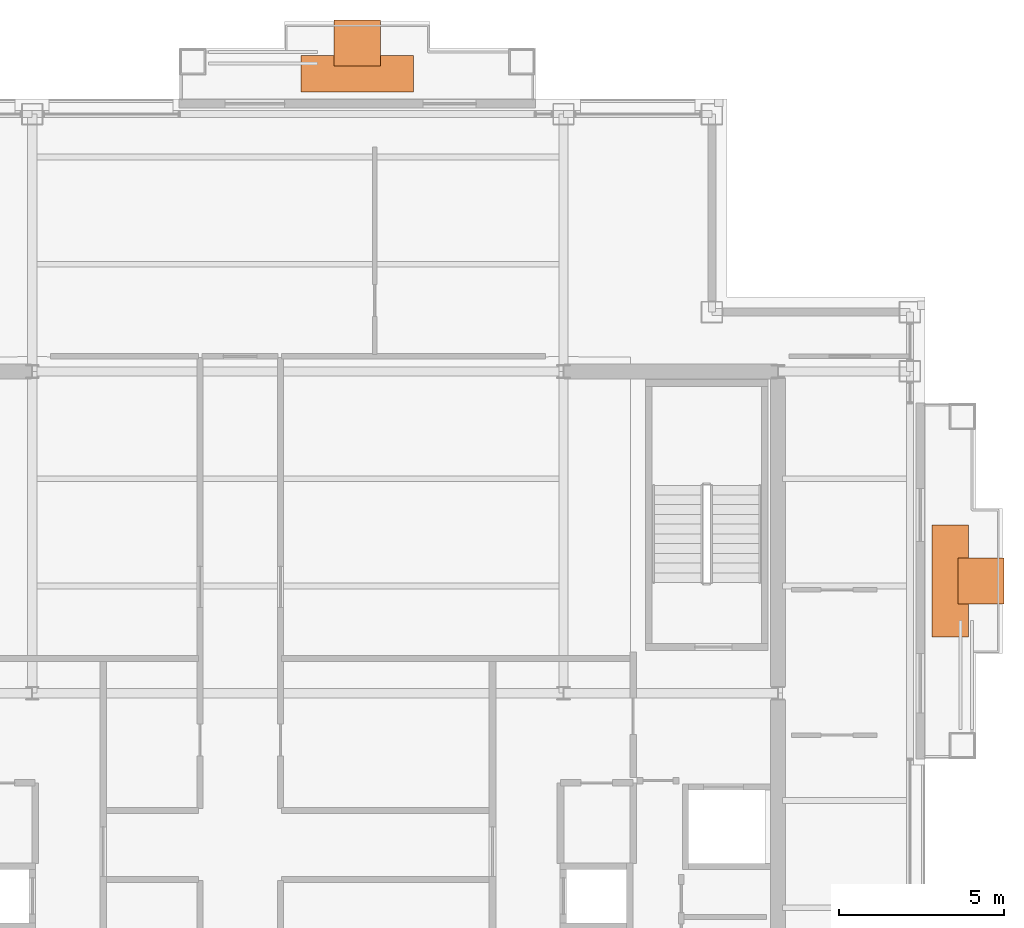
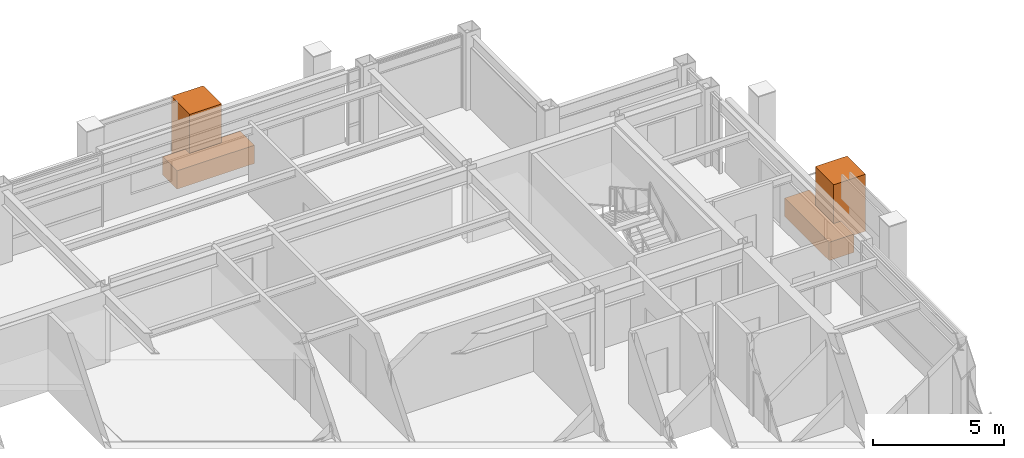
# One storey, part 24 of 24: 4 proxies.
"""IFC4 building model written with IfcOpenShell, lengths in metres."""

from ifc_helpers import new_model, si_unit, direction, frame, origin, origin_2d, place, context, subcontext, project, spatial, rectangle, extrude, material, type_object, element, save


model = new_model("IFC4")

# Units and contexts
model_context = context("Model", 3, precision=1e-05, world=origin(), true_north=direction((0.0, 1.0)))
body_context = subcontext(model_context, "Body", "Model", "MODEL_VIEW")
ifc_project = project(units=[si_unit("LENGTHUNIT", "METRE"), si_unit("AREAUNIT", "SQUARE_METRE"), si_unit("VOLUMEUNIT", "CUBIC_METRE"), si_unit("PLANEANGLEUNIT", "RADIAN"), si_unit("MASSUNIT", "GRAM", prefix="KILO")], contexts=[model_context])

# Site, building, storey
site_placement = place(None, origin())
site = spatial("IfcSite", under=ifc_project, at=site_placement, CompositionType="ELEMENT")
building_placement = place(site_placement, origin())
building = spatial("IfcBuilding", under=site, at=building_placement, Name="Brelmoor Portico Tower", CompositionType="ELEMENT")
storey_placement = place(building_placement, frame((0.0, 0.0, 229.199951171875)))
storey = spatial("IfcBuildingStorey", under=building, at=storey_placement, Name="L60", CompositionType="ELEMENT", Elevation=229.199951171875)

# Proxies
ifc_material_1 = material(Name="Planted Canopy Tree and Soil Rootball", Category="other")
building_element_proxy_type_1 = type_object("IfcBuildingElementProxyType", Name="BALCONY TREE ARBOR", PredefinedType="USERDEFINED", material=ifc_material_1)
for number, where, z_axis, x_axis, name in (
    (1, (1.800048828125, 19.699951171875, 0.0), (0.0, 0.0, 1.0), (1.0, 0.0, 0.0), "L60 Balcony PLANTER Tree Canopy Arbor N"),
    (2, (20.699951171875, 3.39990234375, 0.0), (0.0, 0.0, 1.0), (1.0, 0.0, 0.0), "L60 Balcony PLANTER Tree Canopy Arbor E"),
):
    element("IfcBuildingElementProxy", number, at=place(storey_placement, frame(where, z_axis=z_axis, x_axis=x_axis)), inside=storey, type_object=building_element_proxy_type_1, Name=name, ObjectType="PLANTER", PredefinedType="USERDEFINED", context=body_context, shape_type="SweptSolid", body=[
        extrude(rectangle(XDim=1.39990234375, YDim=1.39990234375, at=origin_2d()), origin(), (0.0, 0.0, 1.0), 2.64990234375),
    ])
ifc_material_2 = material(Name="Architectural Precast Concrete C40", Category="concrete")
building_element_proxy_type_2 = type_object("IfcBuildingElementProxyType", Name="TREE PLANTER", PredefinedType="USERDEFINED", material=ifc_material_2)
for number, where, z_axis, x_axis, name in (
    (3, (1.800048828125, 18.77490234375, 0.0), (0.0, 0.0, 1.0), (1.0, 0.0, 0.0), "L60 Planted Tree Planter N"),
    (4, (19.77490234375, 3.39990234375, 0.0), (0.0, 0.0, 1.0), (0.0, 1.0, 0.0), "L60 Planted Tree Planter E"),
):
    element("IfcBuildingElementProxy", number, at=place(storey_placement, frame(where, z_axis=z_axis, x_axis=x_axis)), inside=storey, type_object=building_element_proxy_type_2, Name=name, ObjectType="PLANTER", PredefinedType="USERDEFINED", context=body_context, shape_type="SweptSolid", body=[
        extrude(rectangle(XDim=3.39990234375, YDim=1.10009765625, at=origin_2d()), origin(), (0.0, 0.0, 1.0), 0.85009765625),
    ])

save(model, "model.ifc")
